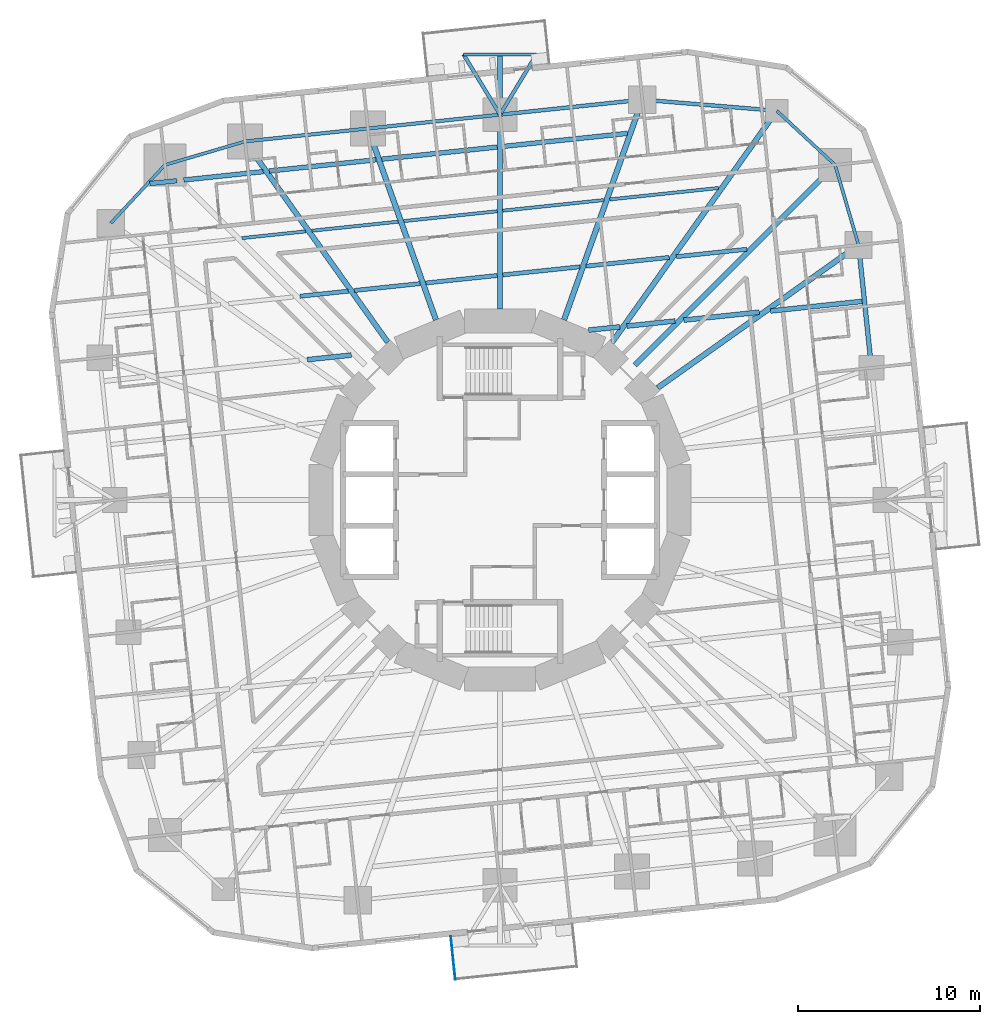
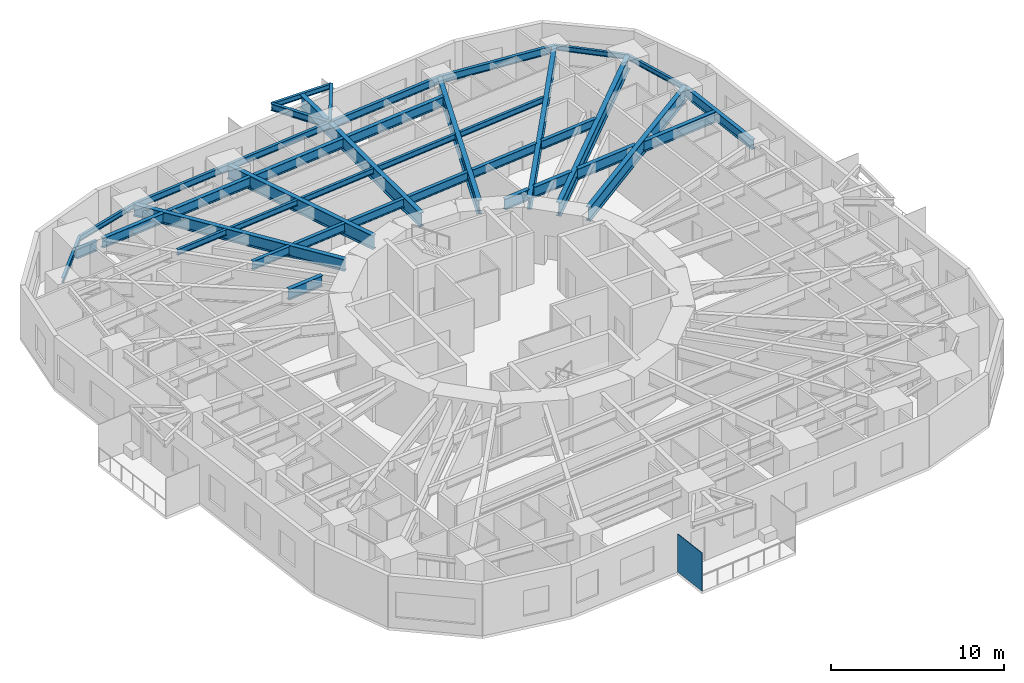
# One storey, part 3 of 15: 40 beams, 1 plate.
"""IFC4 building model written with IfcOpenShell, lengths in metres."""

from ifc_helpers import new_model, si_unit, direction, frame, origin, origin_2d, place, context, subcontext, project, spatial, rectangle, i_section, extrude, material, layer, layer_set, material_profile, profile_set, type_object, element, save


model = new_model("IFC4")

# Units and contexts
model_context = context("Model", 3, precision=1e-05, world=origin(), true_north=direction((0.0, 1.0)))
body_context = subcontext(model_context, "Body", "Model", "MODEL_VIEW")
ifc_project = project(units=[si_unit("LENGTHUNIT", "METRE"), si_unit("AREAUNIT", "SQUARE_METRE"), si_unit("VOLUMEUNIT", "CUBIC_METRE"), si_unit("PLANEANGLEUNIT", "RADIAN"), si_unit("MASSUNIT", "GRAM", prefix="KILO")], contexts=[model_context])

# Site, building, storey
site_placement = place(None, origin())
site = spatial("IfcSite", under=ifc_project, at=site_placement, CompositionType="ELEMENT")
building_placement = place(site_placement, origin())
building = spatial("IfcBuilding", under=site, at=building_placement, Name="Nakasero Lantern House", CompositionType="ELEMENT")
storey_placement = place(building_placement, frame((0.0, 0.0, 72.050048828125)))
storey = spatial("IfcBuildingStorey", under=building, at=storey_placement, Name="L17", CompositionType="ELEMENT", Elevation=72.050048828125)

# Beams
ifc_material_1 = material(Name="Steel S355", Category="steel")
ifc_material_profile_1 = material_profile(ifc_material_1, i_section(OverallWidth=0.199462890625, OverallDepth=0.491943359375, WebThickness=0.01806640625, FlangeThickness=0.031982421875, FilletRadius=0.01025390625, at=origin_2d()), Name="UB 457x191x161")
ifc_profile_set_1 = profile_set([ifc_material_profile_1], Name="Steel S355")
beam_type_1 = type_object("IfcBeamType", Name="Balcony splay beam UB 457x191x161", PredefinedType="BEAM", material=ifc_profile_set_1)
for number, where, z_axis, x_axis, name in (
    (1, (0.0, 21.11572265625, 3.404052734375), (-0.518296107317, 0.855201230787, 0.0), (-0.855201230787, -0.518296107317, 0.0), "Balcony splay beam L18 B2-C09A"),
    (2, (0.0, 21.11572265625, 3.404052734375), (0.518296107317, 0.855201230787, 0.0), (-0.855201230787, 0.518296107317, 0.0), "Balcony splay beam L18 B2-C09B"),
):
    element("IfcBeam", number, at=place(storey_placement, frame(where, z_axis=z_axis, x_axis=x_axis)), inside=storey, type_object=beam_type_1, Name=name, PredefinedType="BEAM", context=body_context, shape_type="SweptSolid", body=[
        extrude(i_section(OverallWidth=0.199462890625, OverallDepth=0.491943359375, WebThickness=0.01806640625, FlangeThickness=0.031982421875, FilletRadius=0.01025390625, at=origin_2d()), origin(), (0.0, 0.0, 1.0), 3.85888671875),
    ])
ifc_material_2 = material(Name="Steel S355", Category="steel")
ifc_material_profile_2 = material_profile(ifc_material_2, i_section(OverallWidth=0.17138671875, OverallDepth=0.35498046875, WebThickness=0.00732421875, FlangeThickness=0.011474609375, FilletRadius=0.01025390625, at=origin_2d()), Name="UB 356x171x51")
ifc_profile_set_2 = profile_set([ifc_material_profile_2], Name="Steel S355")
beam_type_2 = type_object("IfcBeamType", Name="Balcony tie beam UB 356x171x51", PredefinedType="BEAM", material=ifc_profile_set_2)
beam_1_placement = place(storey_placement, frame((-2.0, 24.415771484375, 3.472412109375), z_axis=(1.0, 0.0, 0.0), x_axis=(0.0, 1.0, 0.0)))
element("IfcBeam", 3, at=beam_1_placement, inside=storey, type_object=beam_type_2, Name="Balcony tie beam L18 B2-C09", PredefinedType="BEAM", context=body_context, shape_type="SweptSolid", body=[
    extrude(i_section(OverallWidth=0.17138671875, OverallDepth=0.35498046875, WebThickness=0.00732421875, FlangeThickness=0.011474609375, FilletRadius=0.01025390625, at=origin_2d()), origin(), (0.0, 0.0, 1.0), 4.0),
])
ifc_material_3 = material(Name="Steel S355", Category="steel")
ifc_material_profile_3 = material_profile(ifc_material_3, i_section(OverallWidth=0.177978515625, OverallDepth=0.406494140625, WebThickness=0.0078125, FlangeThickness=0.0126953125, FilletRadius=0.01025390625, at=origin_2d()), Name="UB 406x178x60")
ifc_profile_set_3 = profile_set([ifc_material_profile_3], Name="Steel S355")
beam_type_3 = type_object("IfcBeamType", Name="Infill beam UB 406x178x60", PredefinedType="JOIST", material=ifc_profile_set_3)
beam_2_placement = place(storey_placement, frame((-14.1435546875, 14.35009765625, 3.44677734375), z_axis=(0.994521415391, 0.104533029842, 0.0), x_axis=(-0.104533029842, 0.994521415391, 0.0)))
element("IfcBeam", 4, at=beam_2_placement, inside=storey, type_object=beam_type_3, Name="Infill beam L18 12.3", PredefinedType="JOIST", context=body_context, shape_type="SweptSolid", body=[
    extrude(i_section(OverallWidth=0.177978515625, OverallDepth=0.406494140625, WebThickness=0.0078125, FlangeThickness=0.0126953125, FilletRadius=0.01025390625, at=origin_2d()), origin(), (0.0, 0.0, 1.0), 3.517333984375),
])
beam_3_placement = place(storey_placement, frame((-10.3115234375, 14.7529296875, 3.44677734375), z_axis=(0.994523439889, 0.104513767091, 0.0), x_axis=(-0.104513767091, 0.994523439889, 0.0)))
element("IfcBeam", 5, at=beam_3_placement, inside=storey, type_object=beam_type_3, Name="Infill beam L18 12.4", PredefinedType="JOIST", context=body_context, shape_type="SweptSolid", body=[
    extrude(i_section(OverallWidth=0.177978515625, OverallDepth=0.406494140625, WebThickness=0.0078125, FlangeThickness=0.0126953125, FilletRadius=0.01025390625, at=origin_2d()), origin(), (0.0, 0.0, 1.0), 4.756103515625),
])
beam_4_placement = place(storey_placement, frame((-5.2744140625, 15.282470703125, 3.44677734375), z_axis=(0.994522574566, 0.104522000929, 0.0), x_axis=(-0.104522000929, 0.994522574566, 0.0)))
element("IfcBeam", 6, at=beam_4_placement, inside=storey, type_object=beam_type_3, Name="Infill beam L18 12.5", PredefinedType="JOIST", context=body_context, shape_type="SweptSolid", body=[
    extrude(i_section(OverallWidth=0.177978515625, OverallDepth=0.406494140625, WebThickness=0.0078125, FlangeThickness=0.0126953125, FilletRadius=0.01025390625, at=origin_2d()), origin(), (0.0, 0.0, 1.0), 5.15283203125),
])
beam_5_placement = place(storey_placement, frame((0.14990234375, 15.8525390625, 3.44677734375), z_axis=(0.994524188375, 0.104506644464, 0.0), x_axis=(-0.104506644464, 0.994524188375, 0.0)))
element("IfcBeam", 7, at=beam_5_placement, inside=storey, type_object=beam_type_3, Name="Infill beam L18 12.6", PredefinedType="JOIST", context=body_context, shape_type="SweptSolid", body=[
    extrude(i_section(OverallWidth=0.177978515625, OverallDepth=0.406494140625, WebThickness=0.0078125, FlangeThickness=0.0126953125, FilletRadius=0.01025390625, at=origin_2d()), origin(), (0.0, 0.0, 1.0), 5.564697265625),
])
beam_6_placement = place(storey_placement, frame((6.014892578125, 16.468994140625, 3.44677734375), z_axis=(0.994521729164, 0.104530044579, 0.0), x_axis=(-0.104530044579, 0.994521729164, 0.0)))
element("IfcBeam", 8, at=beam_6_placement, inside=storey, type_object=beam_type_3, Name="Infill beam L18 12.7", PredefinedType="JOIST", context=body_context, shape_type="SweptSolid", body=[
    extrude(i_section(OverallWidth=0.177978515625, OverallDepth=0.406494140625, WebThickness=0.0078125, FlangeThickness=0.0126953125, FilletRadius=0.01025390625, at=origin_2d()), origin(), (0.0, 0.0, 1.0), 5.99560546875),
])
ifc_material_4 = material(Name="Steel S355", Category="steel")
ifc_material_profile_4 = material_profile(ifc_material_4, i_section(OverallWidth=0.22900390625, OverallDepth=0.6123046875, WebThickness=0.011962890625, FlangeThickness=0.01953125, FilletRadius=0.0126953125, at=origin_2d()), Name="UB 610x229x125")
ifc_profile_set_4 = profile_set([ifc_material_profile_4], Name="Steel S355")
beam_type_4 = type_object("IfcBeamType", Name="Infill beam UB 610x229x125", PredefinedType="JOIST", material=ifc_profile_set_4)
beam_7_placement = place(storey_placement, frame((-10.958984375, 11.165771484375, 3.34375), z_axis=(0.994526079282, 0.104488648322, 0.0), x_axis=(-0.104488648322, 0.994526079282, 0.0)))
element("IfcBeam", 9, at=beam_7_placement, inside=storey, type_object=beam_type_4, Name="Infill beam L18 11.3", PredefinedType="JOIST", context=body_context, shape_type="SweptSolid", body=[
    extrude(i_section(OverallWidth=0.22900390625, OverallDepth=0.6123046875, WebThickness=0.011962890625, FlangeThickness=0.01953125, FilletRadius=0.0126953125, at=origin_2d()), origin(), (0.0, 0.0, 1.0), 2.65673828125),
])
beam_8_placement = place(storey_placement, frame((-7.983154296875, 11.478515625, 3.34375), z_axis=(0.994523507044, 0.104513128058, 0.0), x_axis=(-0.104513128058, 0.994523507044, 0.0)))
element("IfcBeam", 10, at=beam_8_placement, inside=storey, type_object=beam_type_4, Name="Infill beam L18 11.4", PredefinedType="JOIST", context=body_context, shape_type="SweptSolid", body=[
    extrude(i_section(OverallWidth=0.22900390625, OverallDepth=0.6123046875, WebThickness=0.011962890625, FlangeThickness=0.01953125, FilletRadius=0.0126953125, at=origin_2d()), origin(), (0.0, 0.0, 1.0), 3.627685546875),
])
beam_9_placement = place(storey_placement, frame((-4.068359375, 11.889892578125, 3.34375), z_axis=(0.994521399206, 0.104533183829, 0.0), x_axis=(-0.104533183829, 0.994521399206, 0.0)))
element("IfcBeam", 11, at=beam_9_placement, inside=storey, type_object=beam_type_4, Name="Infill beam L18 11.5", PredefinedType="JOIST", context=body_context, shape_type="SweptSolid", body=[
    extrude(i_section(OverallWidth=0.22900390625, OverallDepth=0.6123046875, WebThickness=0.011962890625, FlangeThickness=0.01953125, FilletRadius=0.0126953125, at=origin_2d()), origin(), (0.0, 0.0, 1.0), 3.93994140625),
])
beam_10_placement = place(storey_placement, frame((0.14990234375, 12.333251953125, 3.34375), z_axis=(0.994521465317, 0.104532554847, 0.0), x_axis=(-0.104532554847, 0.994521465317, 0.0)))
element("IfcBeam", 12, at=beam_10_placement, inside=storey, type_object=beam_type_4, Name="Infill beam L18 11.6", PredefinedType="JOIST", context=body_context, shape_type="SweptSolid", body=[
    extrude(i_section(OverallWidth=0.22900390625, OverallDepth=0.6123046875, WebThickness=0.011962890625, FlangeThickness=0.01953125, FilletRadius=0.0126953125, at=origin_2d()), origin(), (0.0, 0.0, 1.0), 4.2578125),
])
beam_11_placement = place(storey_placement, frame((4.71484375, 12.81298828125, 3.34375), z_axis=(0.994522952874, 0.104518401282, 0.0), x_axis=(-0.104518401282, 0.994522952874, 0.0)))
element("IfcBeam", 13, at=beam_11_placement, inside=storey, type_object=beam_type_4, Name="Infill beam L18 11.7", PredefinedType="JOIST", context=body_context, shape_type="SweptSolid", body=[
    extrude(i_section(OverallWidth=0.22900390625, OverallDepth=0.6123046875, WebThickness=0.011962890625, FlangeThickness=0.01953125, FilletRadius=0.0126953125, at=origin_2d()), origin(), (0.0, 0.0, 1.0), 4.5830078125),
])
beam_12_placement = place(storey_placement, frame((9.66064453125, 13.332763671875, 3.34375), z_axis=(0.99451886442, 0.10455729679, 0.0), x_axis=(-0.10455729679, 0.99451886442, 0.0)))
element("IfcBeam", 14, at=beam_12_placement, inside=storey, type_object=beam_type_4, Name="Infill beam L18 11.8", PredefinedType="JOIST", context=body_context, shape_type="SweptSolid", body=[
    extrude(i_section(OverallWidth=0.22900390625, OverallDepth=0.6123046875, WebThickness=0.011962890625, FlangeThickness=0.01953125, FilletRadius=0.0126953125, at=origin_2d()), origin(), (0.0, 0.0, 1.0), 3.8876953125),
])
ifc_material_5 = material(Name="Steel S355", Category="steel")
ifc_material_profile_5 = material_profile(ifc_material_5, i_section(OverallWidth=0.255859375, OverallDepth=0.69287109375, WebThickness=0.014404296875, FlangeThickness=0.023681640625, FilletRadius=0.01513671875, at=origin_2d()), Name="UB 686x254x170")
ifc_profile_set_5 = profile_set([ifc_material_profile_5], Name="Steel S355")
beam_type_5 = type_object("IfcBeamType", Name="Infill beam UB 686x254x170", PredefinedType="JOIST", material=ifc_profile_set_5)
beam_13_placement = place(storey_placement, frame((-19.190673828125, 17.339111328125, 3.303466796875), z_axis=(0.994535800288, 0.104396082038, 0.0), x_axis=(-0.104396082038, 0.994535800288, 0.0)))
element("IfcBeam", 15, at=beam_13_placement, inside=storey, type_object=beam_type_5, Name="Infill beam L18 13.1", PredefinedType="JOIST", context=body_context, shape_type="SweptSolid", body=[
    extrude(i_section(OverallWidth=0.255859375, OverallDepth=0.69287109375, WebThickness=0.014404296875, FlangeThickness=0.023681640625, FilletRadius=0.01513671875, at=origin_2d()), origin(), (0.0, 0.0, 1.0), 1.49658203125),
])
beam_14_placement = place(storey_placement, frame((-17.328125, 17.53466796875, 3.303466796875), z_axis=(0.994518584312, 0.104559961062, 0.0), x_axis=(-0.104559961062, 0.994518584312, 0.0)))
element("IfcBeam", 16, at=beam_14_placement, inside=storey, type_object=beam_type_5, Name="Infill beam L18 13.2", PredefinedType="JOIST", context=body_context, shape_type="SweptSolid", body=[
    extrude(i_section(OverallWidth=0.255859375, OverallDepth=0.69287109375, WebThickness=0.014404296875, FlangeThickness=0.023681640625, FilletRadius=0.01513671875, at=origin_2d()), origin(), (0.0, 0.0, 1.0), 4.3779296875),
])
beam_15_placement = place(storey_placement, frame((-12.64013671875, 18.027587890625, 3.303466796875), z_axis=(0.994524304789, 0.104505536616, 0.0), x_axis=(-0.104505536616, 0.994524304789, 0.0)))
element("IfcBeam", 17, at=beam_15_placement, inside=storey, type_object=beam_type_5, Name="Infill beam L18 13.3", PredefinedType="JOIST", context=body_context, shape_type="SweptSolid", body=[
    extrude(i_section(OverallWidth=0.255859375, OverallDepth=0.69287109375, WebThickness=0.014404296875, FlangeThickness=0.023681640625, FilletRadius=0.01513671875, at=origin_2d()), origin(), (0.0, 0.0, 1.0), 5.884765625),
])
beam_16_placement = place(storey_placement, frame((-6.480712890625, 18.6748046875, 3.303466796875), z_axis=(0.994519733917, 0.104549026056, 0.0), x_axis=(-0.104549026056, 0.994519733917, 0.0)))
element("IfcBeam", 18, at=beam_16_placement, inside=storey, type_object=beam_type_5, Name="Infill beam L18 13.4", PredefinedType="JOIST", context=body_context, shape_type="SweptSolid", body=[
    extrude(i_section(OverallWidth=0.255859375, OverallDepth=0.69287109375, WebThickness=0.014404296875, FlangeThickness=0.023681640625, FilletRadius=0.01513671875, at=origin_2d()), origin(), (0.0, 0.0, 1.0), 6.36572265625),
])
beam_17_placement = place(storey_placement, frame((0.14990234375, 19.371826171875, 3.303466796875), z_axis=(0.994522182542, 0.10452573096, 0.0), x_axis=(-0.10452573096, 0.994522182542, 0.0)))
element("IfcBeam", 19, at=beam_17_placement, inside=storey, type_object=beam_type_5, Name="Infill beam L18 13.5", PredefinedType="JOIST", context=body_context, shape_type="SweptSolid", body=[
    extrude(i_section(OverallWidth=0.255859375, OverallDepth=0.69287109375, WebThickness=0.014404296875, FlangeThickness=0.023681640625, FilletRadius=0.01513671875, at=origin_2d()), origin(), (0.0, 0.0, 1.0), 6.87158203125),
])
ifc_material_6 = material(Name="Steel S355", Category="steel")
ifc_material_profile_6 = material_profile(ifc_material_6, i_section(OverallWidth=0.2666015625, OverallDepth=0.76220703125, WebThickness=0.014404296875, FlangeThickness=0.021484375, FilletRadius=0.0166015625, at=origin_2d()), Name="UB 762x267x173")
ifc_profile_set_6 = profile_set([ifc_material_profile_6], Name="Steel S355")
beam_type_6 = type_object("IfcBeamType", Name="Infill beam UB 762x267x173", PredefinedType="JOIST", material=ifc_profile_set_6)
beam_18_placement = place(storey_placement, frame((-10.5537109375, 7.68896484375, 3.268798828125), z_axis=(0.99452700398, 0.104479846642, 0.0), x_axis=(-0.104479846642, 0.99452700398, 0.0)))
element("IfcBeam", 20, at=beam_18_placement, inside=storey, type_object=beam_type_6, Name="Infill beam L18 10.3", PredefinedType="JOIST", context=body_context, shape_type="SweptSolid", body=[
    extrude(i_section(OverallWidth=0.2666015625, OverallDepth=0.76220703125, WebThickness=0.014404296875, FlangeThickness=0.021484375, FilletRadius=0.0166015625, at=origin_2d()), origin(), (0.0, 0.0, 1.0), 2.41845703125),
])
beam_19_placement = place(storey_placement, frame((4.85498046875, 9.30859375, 3.268798828125), z_axis=(0.994529501552, 0.104456069922, 0.0), x_axis=(-0.104456069922, 0.994529501552, 0.0)))
element("IfcBeam", 21, at=beam_19_placement, inside=storey, type_object=beam_type_6, Name="Infill beam L18 10.4", PredefinedType="JOIST", context=body_context, shape_type="SweptSolid", body=[
    extrude(i_section(OverallWidth=0.2666015625, OverallDepth=0.76220703125, WebThickness=0.014404296875, FlangeThickness=0.021484375, FilletRadius=0.0166015625, at=origin_2d()), origin(), (0.0, 0.0, 1.0), 1.72265625),
])
beam_20_placement = place(storey_placement, frame((6.955810546875, 9.529296875, 3.268798828125), z_axis=(0.994521575627, 0.104531505358, 0.0), x_axis=(-0.104531505358, 0.994521575627, 0.0)))
element("IfcBeam", 22, at=beam_20_placement, inside=storey, type_object=beam_type_6, Name="Infill beam L18 10.5", PredefinedType="JOIST", context=body_context, shape_type="SweptSolid", body=[
    extrude(i_section(OverallWidth=0.2666015625, OverallDepth=0.76220703125, WebThickness=0.014404296875, FlangeThickness=0.021484375, FilletRadius=0.0166015625, at=origin_2d()), origin(), (0.0, 0.0, 1.0), 2.6533203125),
])
beam_21_placement = place(storey_placement, frame((10.068603515625, 9.8564453125, 3.268798828125), z_axis=(0.994522134672, 0.104526186418, 0.0), x_axis=(-0.104526186418, 0.994522134672, 0.0)))
element("IfcBeam", 23, at=beam_21_placement, inside=storey, type_object=beam_type_6, Name="Infill beam L18 10.6", PredefinedType="JOIST", context=body_context, shape_type="SweptSolid", body=[
    extrude(i_section(OverallWidth=0.2666015625, OverallDepth=0.76220703125, WebThickness=0.014404296875, FlangeThickness=0.021484375, FilletRadius=0.0166015625, at=origin_2d()), origin(), (0.0, 0.0, 1.0), 4.166748046875),
])
beam_22_placement = place(storey_placement, frame((14.823974609375, 10.356201171875, 3.268798828125), z_axis=(0.994520551882, 0.104541244898, 0.0), x_axis=(-0.104541244898, 0.994520551882, 0.0)))
element("IfcBeam", 24, at=beam_22_placement, inside=storey, type_object=beam_type_6, Name="Infill beam L18 10.7", PredefinedType="JOIST", context=body_context, shape_type="SweptSolid", body=[
    extrude(i_section(OverallWidth=0.2666015625, OverallDepth=0.76220703125, WebThickness=0.014404296875, FlangeThickness=0.021484375, FilletRadius=0.0166015625, at=origin_2d()), origin(), (0.0, 0.0, 1.0), 5.046630859375),
])
ifc_material_7 = material(Name="Steel S355", Category="steel")
ifc_material_profile_7 = material_profile(ifc_material_7, i_section(OverallWidth=0.300048828125, OverallDepth=0.97998046875, WebThickness=0.0166015625, FlangeThickness=0.02587890625, FilletRadius=0.030029296875, at=origin_2d()), Name="UB 1016x305x249")
ifc_profile_set_7 = profile_set([ifc_material_profile_7], Name="Steel S355")
beam_type_7 = type_object("IfcBeamType", Name="Primary beam UB 1016x305x249, span 12 to 15 m", PredefinedType="BEAM", material=ifc_profile_set_7)
beam_23_placement = place(storey_placement, frame((7.79931640625, 21.935302734375, 3.159912109375), z_axis=(-0.335017564047, -0.942211882636, 0.0), x_axis=(0.942211882636, -0.335017564047, 0.0)))
element("IfcBeam", 25, at=beam_23_placement, inside=storey, type_object=beam_type_7, Name="Primary beam L18 B2-C08", PredefinedType="BEAM", context=body_context, shape_type="SweptSolid", body=[
    extrude(i_section(OverallWidth=0.300048828125, OverallDepth=0.97998046875, WebThickness=0.0166015625, FlangeThickness=0.02587890625, FilletRadius=0.030029296875, at=origin_2d()), origin(), (0.0, 0.0, 1.0), 12.80908203125),
])
ifc_material_8 = material(Name="Steel S355", Category="steel")
ifc_material_profile_8 = material_profile(ifc_material_8, i_section(OverallWidth=0.300048828125, OverallDepth=0.97998046875, WebThickness=0.0166015625, FlangeThickness=0.02587890625, FilletRadius=0.030029296875, at=origin_2d()), Name="UB 1016x305x249")
ifc_profile_set_8 = profile_set([ifc_material_profile_8], Name="Steel S355")
beam_type_8 = type_object("IfcBeamType", Name="Primary beam UB 1016x305x249, span 9 to 12 m", PredefinedType="BEAM", material=ifc_profile_set_8)
beam_24_placement = place(storey_placement, frame((-7.2373046875, 20.35498046875, 3.159912109375), z_axis=(0.335009234979, -0.942214844119, 0.0), x_axis=(0.942214844119, 0.335009234979, 0.0)))
element("IfcBeam", 26, at=beam_24_placement, inside=storey, type_object=beam_type_8, Name="Primary beam L18 B2-C10", PredefinedType="BEAM", context=body_context, shape_type="SweptSolid", body=[
    extrude(i_section(OverallWidth=0.300048828125, OverallDepth=0.97998046875, WebThickness=0.0166015625, FlangeThickness=0.02587890625, FilletRadius=0.030029296875, at=origin_2d()), origin(), (0.0, 0.0, 1.0), 11.1318359375),
])
ifc_material_9 = material(Name="Steel S355", Category="steel")
ifc_material_profile_9 = material_profile(ifc_material_9, i_section(OverallWidth=0.300048828125, OverallDepth=0.989990234375, WebThickness=0.0166015625, FlangeThickness=0.031005859375, FilletRadius=0.030029296875, at=origin_2d()), Name="UB 1016x305x272")
ifc_profile_set_9 = profile_set([ifc_material_profile_9], Name="Steel S355")
beam_type_9 = type_object("IfcBeamType", Name="Primary beam UB 1016x305x272, span over 15 m", PredefinedType="BEAM", material=ifc_profile_set_9)
beam_25_placement = place(storey_placement, frame((18.359375, 18.359375, 3.15478515625), z_axis=(-0.707106781187, -0.707106781187, 0.0), x_axis=(0.707106781187, -0.707106781187, 0.0)))
element("IfcBeam", 27, at=beam_25_placement, inside=storey, type_object=beam_type_9, Name="Primary beam L18 B2-C06", PredefinedType="BEAM", context=body_context, shape_type="SweptSolid", body=[
    extrude(i_section(OverallWidth=0.300048828125, OverallDepth=0.989990234375, WebThickness=0.0166015625, FlangeThickness=0.031005859375, FilletRadius=0.030029296875, at=origin_2d()), origin(), (0.0, 0.0, 1.0), 15.50634765625),
])
ifc_material_10 = material(Name="Steel S355", Category="steel")
ifc_material_profile_10 = material_profile(ifc_material_10, i_section(OverallWidth=0.300048828125, OverallDepth=1.0, WebThickness=0.01904296875, FlangeThickness=0.035888671875, FilletRadius=0.030029296875, at=origin_2d()), Name="UB 1016x305x314")
ifc_profile_set_10 = profile_set([ifc_material_profile_10], Name="Steel S355")
beam_type_10 = type_object("IfcBeamType", Name="Primary beam UB 1016x305x314, span 9 to 12 m", PredefinedType="BEAM", material=ifc_profile_set_10)
beam_26_placement = place(storey_placement, frame((0.0, 24.415771484375, 3.14990234375), z_axis=(0.0, -1.0, 0.0), x_axis=(1.0, 0.0, 0.0)))
element("IfcBeam", 28, at=beam_26_placement, inside=storey, type_object=beam_type_10, Name="Primary beam L18 B2-C09", PredefinedType="BEAM", context=body_context, shape_type="SweptSolid", body=[
    extrude(i_section(OverallWidth=0.300048828125, OverallDepth=1.0, WebThickness=0.01904296875, FlangeThickness=0.035888671875, FilletRadius=0.030029296875, at=origin_2d()), origin(), (0.0, 0.0, 1.0), 13.9580078125),
])
ifc_material_11 = material(Name="Steel S355", Category="steel")
ifc_material_profile_11 = material_profile(ifc_material_11, i_section(OverallWidth=0.302001953125, OverallDepth=1.008056640625, WebThickness=0.02099609375, FlangeThickness=0.0400390625, FilletRadius=0.030029296875, at=origin_2d()), Name="UB 1016x305x349")
ifc_profile_set_11 = profile_set([ifc_material_profile_11], Name="Steel S355")
beam_type_11 = type_object("IfcBeamType", Name="Primary beam UB 1016x305x349, span 12 to 15 m", PredefinedType="BEAM", material=ifc_profile_set_11)
beam_27_placement = place(storey_placement, frame((19.647216796875, 13.971435546875, 3.14599609375), z_axis=(-0.814948492976, -0.579533393168, 0.0), x_axis=(0.579533393168, -0.814948492976, 0.0)))
element("IfcBeam", 29, at=beam_27_placement, inside=storey, type_object=beam_type_11, Name="Primary beam L18 B2-C05", PredefinedType="BEAM", context=body_context, shape_type="SweptSolid", body=[
    extrude(i_section(OverallWidth=0.302001953125, OverallDepth=1.008056640625, WebThickness=0.02099609375, FlangeThickness=0.0400390625, FilletRadius=0.030029296875, at=origin_2d()), origin(), (0.0, 0.0, 1.0), 13.502685546875),
])
ifc_material_12 = material(Name="Steel S355", Category="steel")
ifc_material_profile_12 = material_profile(ifc_material_12, i_section(OverallWidth=0.29248046875, OverallDepth=0.8408203125, WebThickness=0.0146484375, FlangeThickness=0.02685546875, FilletRadius=0.017822265625, at=origin_2d()), Name="UB 838x292x194")
ifc_profile_set_12 = profile_set([ifc_material_profile_12], Name="Steel S355")
beam_type_12 = type_object("IfcBeamType", Name="Primary beam UB 838x292x194, span 12 to 15 m", PredefinedType="BEAM", material=ifc_profile_set_12)
beam_28_placement = place(storey_placement, frame((-13.971435546875, 19.647216796875, 3.2294921875), z_axis=(0.579533393168, -0.814948492976, 0.0), x_axis=(0.814948492976, 0.579533393168, 0.0)))
element("IfcBeam", 30, at=beam_28_placement, inside=storey, type_object=beam_type_12, Name="Primary beam L18 B2-C11", PredefinedType="BEAM", context=body_context, shape_type="SweptSolid", body=[
    extrude(i_section(OverallWidth=0.29248046875, OverallDepth=0.8408203125, WebThickness=0.0146484375, FlangeThickness=0.02685546875, FilletRadius=0.017822265625, at=origin_2d()), origin(), (0.0, 0.0, 1.0), 13.502685546875),
])
ifc_material_13 = material(Name="Steel S355", Category="steel")
ifc_material_profile_13 = material_profile(ifc_material_13, i_section(OverallWidth=0.29248046875, OverallDepth=0.8408203125, WebThickness=0.0146484375, FlangeThickness=0.02685546875, FilletRadius=0.017822265625, at=origin_2d()), Name="UB 838x292x194")
ifc_profile_set_13 = profile_set([ifc_material_profile_13], Name="Steel S355")
beam_type_13 = type_object("IfcBeamType", Name="Primary beam UB 838x292x194, span over 15 m", PredefinedType="BEAM", material=ifc_profile_set_13)
beam_29_placement = place(storey_placement, frame((15.16650390625, 21.327880859375, 3.2294921875), z_axis=(-0.57952911085, -0.814951538239, 0.0), x_axis=(0.814951538239, -0.57952911085, 0.0)))
element("IfcBeam", 31, at=beam_29_placement, inside=storey, type_object=beam_type_13, Name="Primary beam L18 B2-C07", PredefinedType="BEAM", context=body_context, shape_type="SweptSolid", body=[
    extrude(i_section(OverallWidth=0.29248046875, OverallDepth=0.8408203125, WebThickness=0.0146484375, FlangeThickness=0.02685546875, FilletRadius=0.017822265625, at=origin_2d()), origin(), (0.0, 0.0, 1.0), 15.564697265625),
])
ifc_material_14 = material(Name="Steel S355", Category="steel")
ifc_material_profile_14 = material_profile(ifc_material_14, i_section(OverallWidth=0.17138671875, OverallDepth=0.35498046875, WebThickness=0.00732421875, FlangeThickness=0.011474609375, FilletRadius=0.01025390625, at=origin_2d()), Name="UB 356x171x51")
ifc_profile_set_14 = profile_set([ifc_material_profile_14], Name="Steel S355")
beam_type_14 = type_object("IfcBeamType", Name="Ring beam UB 356x171x51", PredefinedType="BEAM", material=ifc_profile_set_14)
beam_30_placement = place(storey_placement, frame((19.647216796875, 13.971435546875, 3.472412109375), z_axis=(-0.28161710443, 0.959526865957, 0.0), x_axis=(-0.959526865957, -0.28161710443, 0.0)))
element("IfcBeam", 32, at=beam_30_placement, inside=storey, type_object=beam_type_14, Name="Ring beam L18 B2-C05", PredefinedType="BEAM", context=body_context, shape_type="SweptSolid", body=[
    extrude(i_section(OverallWidth=0.17138671875, OverallDepth=0.35498046875, WebThickness=0.00732421875, FlangeThickness=0.011474609375, FilletRadius=0.01025390625, at=origin_2d()), origin(), (0.0, 0.0, 1.0), 4.572998046875),
])
beam_31_placement = place(storey_placement, frame((18.359375, 18.359375, 3.472412109375), z_axis=(-0.732370510336, 0.680906333933, 0.0), x_axis=(-0.680906333933, -0.732370510336, 0.0)))
element("IfcBeam", 33, at=beam_31_placement, inside=storey, type_object=beam_type_14, Name="Ring beam L18 B2-C06", PredefinedType="BEAM", context=body_context, shape_type="SweptSolid", body=[
    extrude(i_section(OverallWidth=0.17138671875, OverallDepth=0.35498046875, WebThickness=0.00732421875, FlangeThickness=0.011474609375, FilletRadius=0.01025390625, at=origin_2d()), origin(), (0.0, 0.0, 1.0), 4.359619140625),
])
beam_32_placement = place(storey_placement, frame((-13.971435546875, 19.647216796875, 3.472412109375), z_axis=(-0.959526865957, -0.28161710443, 0.0), x_axis=(0.28161710443, -0.959526865957, 0.0)))
element("IfcBeam", 34, at=beam_32_placement, inside=storey, type_object=beam_type_14, Name="Ring beam L18 B2-C11", PredefinedType="BEAM", context=body_context, shape_type="SweptSolid", body=[
    extrude(i_section(OverallWidth=0.17138671875, OverallDepth=0.35498046875, WebThickness=0.00732421875, FlangeThickness=0.011474609375, FilletRadius=0.01025390625, at=origin_2d()), origin(), (0.0, 0.0, 1.0), 4.572998046875),
])
beam_33_placement = place(storey_placement, frame((-18.359375, 18.359375, 3.472412109375), z_axis=(-0.680906333933, -0.732370510336, 0.0), x_axis=(0.732370510336, -0.680906333933, 0.0)))
element("IfcBeam", 35, at=beam_33_placement, inside=storey, type_object=beam_type_14, Name="Ring beam L18 B2-C12", PredefinedType="BEAM", context=body_context, shape_type="SweptSolid", body=[
    extrude(i_section(OverallWidth=0.17138671875, OverallDepth=0.35498046875, WebThickness=0.00732421875, FlangeThickness=0.011474609375, FilletRadius=0.01025390625, at=origin_2d()), origin(), (0.0, 0.0, 1.0), 4.359619140625),
])
ifc_material_15 = material(Name="Steel S355", Category="steel")
ifc_material_profile_15 = material_profile(ifc_material_15, i_section(OverallWidth=0.18994140625, OverallDepth=0.453369140625, WebThickness=0.008544921875, FlangeThickness=0.0126953125, FilletRadius=0.01025390625, at=origin_2d()), Name="UB 457x191x67")
ifc_profile_set_15 = profile_set([ifc_material_profile_15], Name="Steel S355")
beam_type_15 = type_object("IfcBeamType", Name="Ring beam UB 457x191x67", PredefinedType="BEAM", material=ifc_profile_set_15)
beam_34_placement = place(storey_placement, frame((-7.2373046875, 20.35498046875, 3.42333984375), z_axis=(-0.994522233155, -0.10452524939, 0.0), x_axis=(0.10452524939, -0.994522233155, 0.0)))
element("IfcBeam", 36, at=beam_34_placement, inside=storey, type_object=beam_type_15, Name="Ring beam L18 B2-C10", PredefinedType="BEAM", context=body_context, shape_type="SweptSolid", body=[
    extrude(i_section(OverallWidth=0.18994140625, OverallDepth=0.453369140625, WebThickness=0.008544921875, FlangeThickness=0.0126953125, FilletRadius=0.01025390625, at=origin_2d()), origin(), (0.0, 0.0, 1.0), 6.771240234375),
])
ifc_material_16 = material(Name="Steel S355", Category="steel")
ifc_material_profile_16 = material_profile(ifc_material_16, i_section(OverallWidth=0.19140625, OverallDepth=0.4599609375, WebThickness=0.010009765625, FlangeThickness=0.01611328125, FilletRadius=0.01025390625, at=origin_2d()), Name="UB 457x191x82")
ifc_profile_set_16 = profile_set([ifc_material_profile_16], Name="Steel S355")
beam_type_16 = type_object("IfcBeamType", Name="Ring beam UB 457x191x82", PredefinedType="BEAM", material=ifc_profile_set_16)
beam_35_placement = place(storey_placement, frame((0.0, 21.11572265625, 3.419921875), z_axis=(-0.994520883746, -0.104538087767, 0.0), x_axis=(0.104538087767, -0.994520883746, 0.0)))
element("IfcBeam", 37, at=beam_35_placement, inside=storey, type_object=beam_type_16, Name="Ring beam L18 B2-C09", PredefinedType="BEAM", context=body_context, shape_type="SweptSolid", body=[
    extrude(i_section(OverallWidth=0.19140625, OverallDepth=0.4599609375, WebThickness=0.010009765625, FlangeThickness=0.01611328125, FilletRadius=0.01025390625, at=origin_2d()), origin(), (0.0, 0.0, 1.0), 7.277099609375),
])
ifc_material_17 = material(Name="Steel S355", Category="steel")
ifc_material_profile_17 = material_profile(ifc_material_17, i_section(OverallWidth=0.208740234375, OverallDepth=0.5283203125, WebThickness=0.009521484375, FlangeThickness=0.01318359375, FilletRadius=0.0126953125, at=origin_2d()), Name="UB 533x210x82")
ifc_profile_set_17 = profile_set([ifc_material_profile_17], Name="Steel S355")
beam_type_17 = type_object("IfcBeamType", Name="Ring beam UB 533x210x82", PredefinedType="BEAM", material=ifc_profile_set_17)
beam_36_placement = place(storey_placement, frame((15.16650390625, 21.327880859375, 3.3857421875), z_axis=(-0.996618261264, 0.08217080574, 0.0), x_axis=(-0.08217080574, -0.996618261264, 0.0)))
element("IfcBeam", 38, at=beam_36_placement, inside=storey, type_object=beam_type_17, Name="Ring beam L18 B2-C07", PredefinedType="BEAM", context=body_context, shape_type="SweptSolid", body=[
    extrude(i_section(OverallWidth=0.208740234375, OverallDepth=0.5283203125, WebThickness=0.009521484375, FlangeThickness=0.01318359375, FilletRadius=0.0126953125, at=origin_2d()), origin(), (0.0, 0.0, 1.0), 7.39208984375),
])
beam_37_placement = place(storey_placement, frame((7.79931640625, 21.935302734375, 3.3857421875), z_axis=(-0.994524030789, -0.104508144098, 0.0), x_axis=(0.104508144098, -0.994524030789, 0.0)))
element("IfcBeam", 39, at=beam_37_placement, inside=storey, type_object=beam_type_17, Name="Ring beam L18 B2-C08", PredefinedType="BEAM", context=body_context, shape_type="SweptSolid", body=[
    extrude(i_section(OverallWidth=0.208740234375, OverallDepth=0.5283203125, WebThickness=0.009521484375, FlangeThickness=0.01318359375, FilletRadius=0.0126953125, at=origin_2d()), origin(), (0.0, 0.0, 1.0), 7.84228515625),
])
ifc_material_18 = material(Name="Steel S355", Category="steel")
ifc_material_profile_18 = material_profile(ifc_material_18, i_section(OverallWidth=0.255859375, OverallDepth=0.69287109375, WebThickness=0.014404296875, FlangeThickness=0.023681640625, FilletRadius=0.01513671875, at=origin_2d()), Name="UB 686x254x170")
ifc_profile_set_18 = profile_set([ifc_material_profile_18], Name="Steel S355")
beam_type_18 = type_object("IfcBeamType", Name="Ring beam UB 686x254x170", PredefinedType="BEAM", material=ifc_profile_set_18)
beam_38_placement = place(storey_placement, frame((20.35498046875, 7.2373046875, 3.303466796875), z_axis=(-0.10452524939, 0.994522233155, 0.0), x_axis=(-0.994522233155, -0.10452524939, 0.0)))
element("IfcBeam", 40, at=beam_38_placement, inside=storey, type_object=beam_type_18, Name="Ring beam L18 B2-C04", PredefinedType="BEAM", context=body_context, shape_type="SweptSolid", body=[
    extrude(i_section(OverallWidth=0.255859375, OverallDepth=0.69287109375, WebThickness=0.014404296875, FlangeThickness=0.023681640625, FilletRadius=0.01513671875, at=origin_2d()), origin(), (0.0, 0.0, 1.0), 6.771240234375),
])

# Plate
ifc_material_19 = material(Name="Aluminium 6063-T6", Category="aluminium")
ifc_layer = layer(ifc_material_19, 0.0400390625)
ifc_layer_set = layer_set([ifc_layer], Name="Balcony screen 2400x2700")
plate_type = type_object("IfcPlateType", Name="Balcony screen 2400x2700", PredefinedType="SHEET", material=ifc_layer_set)
plate_placement = place(storey_placement, frame((-2.56982421875, -25.106201171875, 0.0), z_axis=(0.0, 0.0, 1.0), x_axis=(0.104528463268, -0.994521895368, 0.0)))
element("IfcPlate", 41, at=plate_placement, inside=storey, type_object=plate_type, Name="Balcony SCREEN L17 BAL3A", PredefinedType="SHEET", context=body_context, shape_type="SweptSolid", body=[
    extrude(rectangle(XDim=2.39990234375, YDim=0.0400390625, at=origin_2d()), origin(), (0.0, 0.0, 1.0), 2.699951171875),
])

save(model, "model.ifc")
